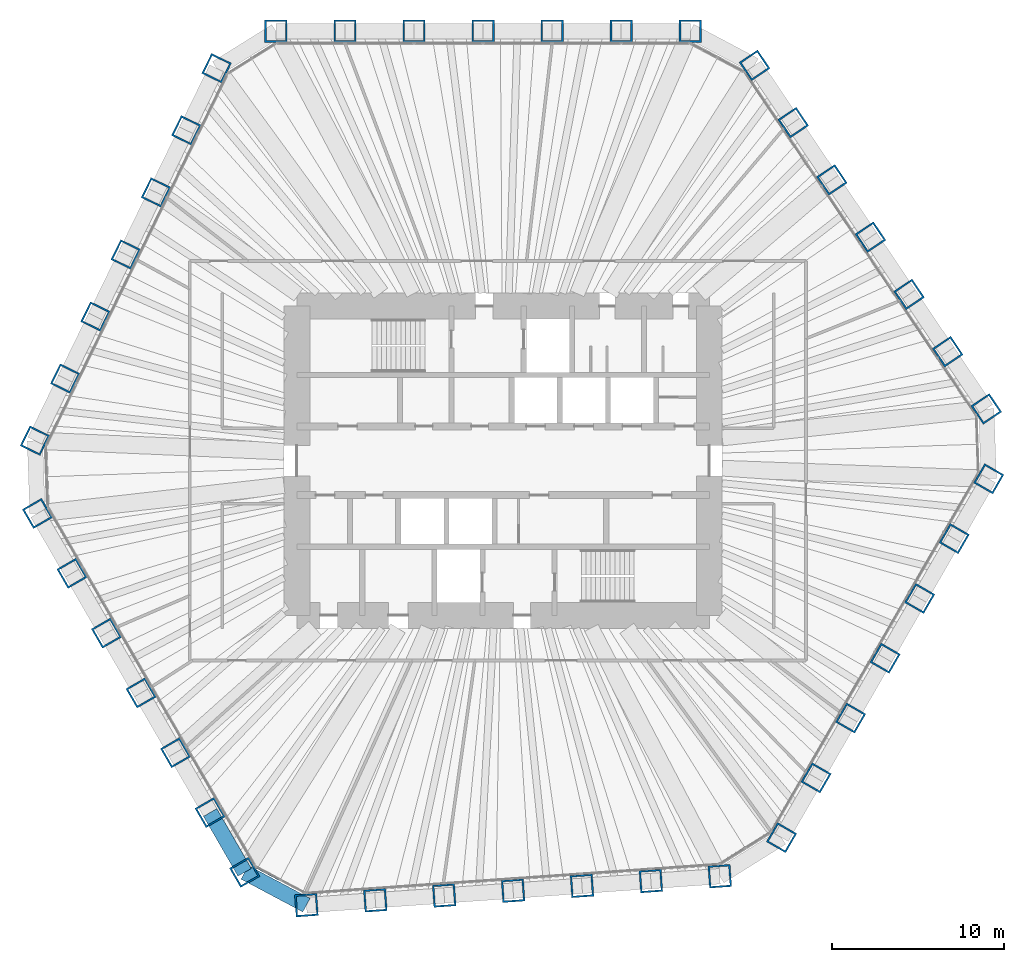
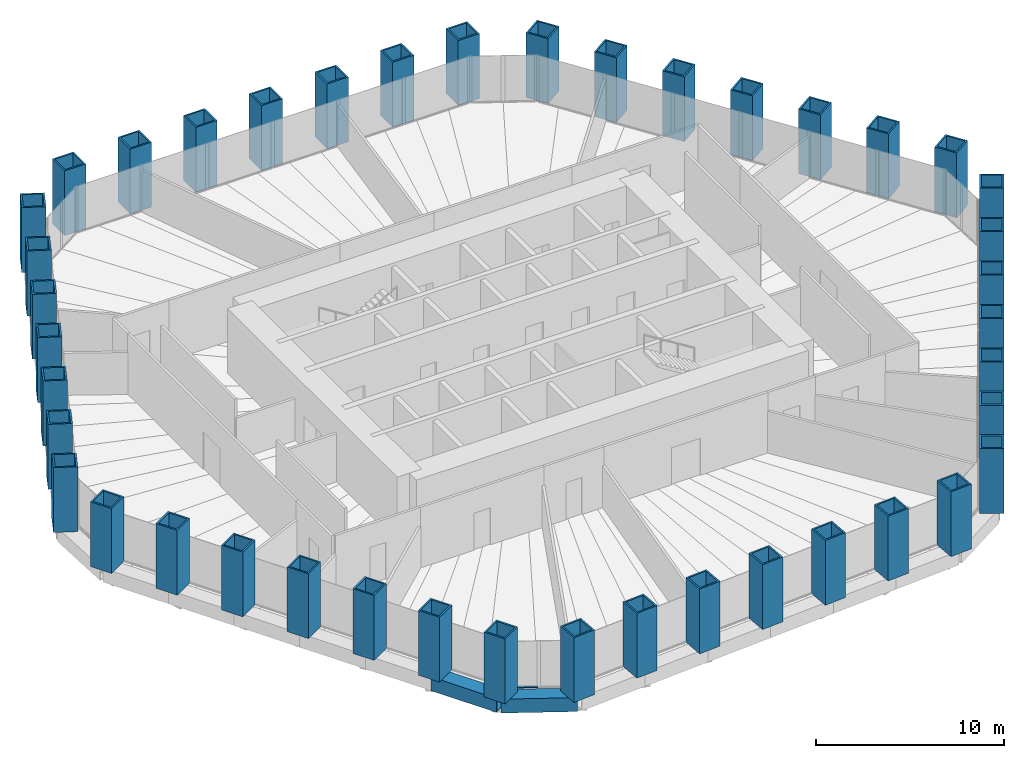
# One storey, part 1 of 12: 42 columns, 2 beams, 1 member, 1 element without a shape of its own.
"""IFC4 building model written with IfcOpenShell, lengths in metres."""

import ifcopenshell
import ifcopenshell.guid

model = None  # the IFC model being written
_history = None  # IfcOwnerHistory: only IFC2X3 demands one
_inside = {}  # id of a spatial element -> (the spatial element, [elements in it])
_under = {}  # id of a project, library or spatial element -> (it, [spatial elements below it])
_declared = {}  # id of a project -> (the project, [libraries it declares])
_typed = {}  # id of a type object -> (the type object, [elements of that type])
_made_of = {}  # id of a material, layer set ... -> (it, [elements and type objects made of it])


def new_model(schema):
    """Start an empty IFC model of exactly this schema.

    Asked for "IFC4X3", IfcOpenShell would pick the latest addendum, in which some entities
    have other attributes; the version numbers below select the first issue.
    IFC2X3 requires an IfcOwnerHistory on every rooted entity: one is made here for all.
    """
    global model, _history
    if schema == "IFC4X3":
        model = ifcopenshell.file(schema_version=(4, 3, 0, 0))
    else:
        model = ifcopenshell.file(schema=schema)
    _inside.clear()
    _under.clear()
    _declared.clear()
    _typed.clear()
    _made_of.clear()
    _history = None
    if model.schema == "IFC2X3":
        org = make("IfcOrganization", Name="unknown")
        user = make(
            "IfcPersonAndOrganization",
            ThePerson=make("IfcPerson", FamilyName="unknown"),
            TheOrganization=org,
        )
        app = make(
            "IfcApplication",
            ApplicationDeveloper=org,
            Version="unknown",
            ApplicationFullName="unknown",
            ApplicationIdentifier="unknown",
        )
        _history = make(
            "IfcOwnerHistory",
            OwningUser=user,
            OwningApplication=app,
            ChangeAction="ADDED",
            CreationDate=0,
        )
    return model


def make(cls, **values):
    """One entity of the class cls with the attributes given. An attribute that is None is left unset."""
    return model.create_entity(
        cls, **{name: value for name, value in values.items() if value is not None}
    )


def rooted(cls, **values):
    """An entity with a GlobalId (a new one), such as an element, a storey or a relation."""
    return make(cls, GlobalId=ifcopenshell.guid.new(), OwnerHistory=_history, **values)


def si_unit(unit_type, name, prefix=None):
    """IfcSIUnit, for example si_unit("LENGTHUNIT", "METRE", prefix="MILLI")."""
    return make("IfcSIUnit", UnitType=unit_type, Prefix=prefix, Name=name)


def assignment(units):
    """IfcUnitAssignment: the units of a project."""
    return None if units is None else make("IfcUnitAssignment", Units=units)


def point(xyz):
    """IfcCartesianPoint."""
    return None if xyz is None else make("IfcCartesianPoint", Coordinates=xyz)


def direction(xyz):
    """IfcDirection."""
    return None if xyz is None else make("IfcDirection", DirectionRatios=xyz)


def frame(location, z_axis=None, x_axis=None):
    """IfcAxis2Placement3D, a coordinate frame: its origin and axes. An axis left out is left unset."""
    return make(
        "IfcAxis2Placement3D",
        Location=point(location),
        Axis=direction(z_axis),
        RefDirection=direction(x_axis),
    )


def frame_2d(location, x_axis=None):
    """IfcAxis2Placement2D, a coordinate frame in the plane: its origin and x axis."""
    return make(
        "IfcAxis2Placement2D", Location=point(location), RefDirection=direction(x_axis)
    )


def origin():
    """The frame at (0, 0, 0) with its axes left unset."""
    return frame((0.0, 0.0, 0.0))


def origin_2d():
    """The frame at (0, 0) in the plane with its x axis left unset."""
    return frame_2d((0.0, 0.0))


def place(relative_to, where):
    """IfcLocalPlacement: puts the frame where relative to a parent placement (None: the world)."""
    return make(
        "IfcLocalPlacement", PlacementRelTo=relative_to, RelativePlacement=where
    )


def context(
    kind, dimensions, precision=None, world=None, true_north=None, identifier=None
):
    """IfcGeometricRepresentationContext, for example the 3D "Model" context."""
    return make(
        "IfcGeometricRepresentationContext",
        ContextIdentifier=identifier,
        ContextType=kind,
        CoordinateSpaceDimension=dimensions,
        Precision=precision,
        WorldCoordinateSystem=world,
        TrueNorth=true_north,
    )


def subcontext(parent, identifier, kind, view, scale=None):
    """IfcGeometricRepresentationSubContext, for example "Body" below "Model"."""
    return make(
        "IfcGeometricRepresentationSubContext",
        ContextIdentifier=identifier,
        ContextType=kind,
        ParentContext=parent,
        TargetScale=scale,
        TargetView=view,
    )


def project(units=None, contexts=None):
    """IfcProject with its units and contexts."""
    return rooted(
        "IfcProject",
        Name="project",
        RepresentationContexts=contexts,
        UnitsInContext=assignment(units),
    )


def spatial(cls, under=None, at=None, **own):
    """A site, building, storey or space (cls), placed at a placement, below another one or the project."""
    s = rooted(cls, ObjectPlacement=at, **own)
    if under is not None:
        _under.setdefault(under.id(), (under, []))[1].append(s)
    return s


def profile(cls, at=None, kind="AREA", **sizes):
    """A parametric profile (cls). Its sizes go by their IFC names, for example OverallWidth=200.0."""
    return make(cls, ProfileType=kind, Position=at, **sizes)


def rectangle(**sizes):
    """IfcRectangleProfileDef."""
    return profile("IfcRectangleProfileDef", **sizes)


def hollow_rectangle(**sizes):
    """IfcRectangleHollowProfileDef."""
    return profile("IfcRectangleHollowProfileDef", **sizes)


def extrude(swept, where, along, depth):
    """IfcExtrudedAreaSolid: the profile swept, set in the frame where, extruded along a direction by depth."""
    return make(
        "IfcExtrudedAreaSolid",
        SweptArea=swept,
        Position=where,
        ExtrudedDirection=direction(along),
        Depth=depth,
    )


def shape(context_of_items, identifier, shape_type, items):
    """IfcShapeRepresentation: the items that make up one representation, for example the "Body"."""
    return make(
        "IfcShapeRepresentation",
        ContextOfItems=context_of_items,
        RepresentationIdentifier=identifier,
        RepresentationType=shape_type,
        Items=items,
    )


def material(Name=None, Category=None):
    """IfcMaterial."""
    return make("IfcMaterial", Name=Name, Category=Category)


def material_profile(
    of_material, cross_section, Name=None, Category=None, Priority=None
):
    """IfcMaterialProfile: a cross section and its material."""
    return make(
        "IfcMaterialProfile",
        Name=Name,
        Material=of_material,
        Profile=cross_section,
        Priority=Priority,
        Category=Category,
    )


def profile_set(profiles, Name=None, composite=None):
    """IfcMaterialProfileSet."""
    return make(
        "IfcMaterialProfileSet",
        Name=Name,
        MaterialProfiles=profiles,
        CompositeProfile=composite,
    )


def made_of(thing, what):
    """Note that an element or type object is made of a material, layer set ...; save() writes the relation."""
    if what is not None:
        _made_of.setdefault(what.id(), (what, []))[1].append(thing)
    return thing


def type_object(cls, material=None, **own):
    """A type object (cls), such as IfcWallType, which elements share."""
    return made_of(rooted(cls, **own), material)


def element(
    cls,
    number,
    at=None,
    inside=None,
    cuts=None,
    type_object=None,
    material=None,
    context=None,
    identifier="Body",
    shape_type=None,
    held_by="IfcProductDefinitionShape",
    body=None,
    shapes=None,
    **own,
):
    """One element of the class cls, such as IfcWall. Its Tag is "e" and its number.

    at: its placement. inside: the storey or other place that contains it. cuts: it is an
    opening in that element (IfcRelVoidsElement). A single representation is given by context,
    identifier, shape_type and body (its items); several are given by shapes. held_by: the class
    of the entity that holds the representations. save() writes the other relations.
    """
    e = rooted(cls, Tag="e%d" % number, ObjectPlacement=at, **own)
    if body is not None:
        shapes = [shape(context, identifier, shape_type, body)]
    if shapes is not None:
        e.Representation = make(held_by, Representations=shapes)
    if inside is not None:
        _inside.setdefault(inside.id(), (inside, []))[1].append(e)
    if cuts is not None:
        rooted(
            "IfcRelVoidsElement", RelatingBuildingElement=cuts, RelatedOpeningElement=e
        )
    if type_object is not None:
        _typed.setdefault(type_object.id(), (type_object, []))[1].append(e)
    return made_of(e, material)


def aggregate(whole, parts):
    """IfcRelAggregates: a whole, such as a stair, and the parts it consists of."""
    return rooted("IfcRelAggregates", RelatingObject=whole, RelatedObjects=parts)


def save(model, path):
    """Write the relations noted so far, then the file.

    IfcRelAggregates (storeys below a building ...), IfcRelContainedInSpatialStructure (elements
    in a storey), IfcRelDefinesByType, IfcRelAssociatesMaterial and IfcRelDeclares: one each for
    every whole, place, type object, material and project.
    """
    for whole, parts in _under.values():
        aggregate(whole, parts)
    for where, things in _inside.values():
        rooted(
            "IfcRelContainedInSpatialStructure",
            RelatedElements=things,
            RelatingStructure=where,
        )
    for kind, things in _typed.values():
        rooted("IfcRelDefinesByType", RelatedObjects=things, RelatingType=kind)
    for what, things in _made_of.values():
        rooted("IfcRelAssociatesMaterial", RelatedObjects=things, RelatingMaterial=what)
    for by, libraries in _declared.values():
        rooted("IfcRelDeclares", RelatingContext=by, RelatedDefinitions=libraries)
    model.write(path)


model = new_model("IFC4")

# Units and contexts
model_context = context("Model", 3, precision=1e-05, world=origin(), true_north=direction((0.0, 1.0)))
body_context = subcontext(model_context, "Body", "Model", "MODEL_VIEW")
ifc_project = project(units=[si_unit("LENGTHUNIT", "METRE"), si_unit("AREAUNIT", "SQUARE_METRE"), si_unit("VOLUMEUNIT", "CUBIC_METRE"), si_unit("PLANEANGLEUNIT", "RADIAN"), si_unit("MASSUNIT", "GRAM", prefix="KILO")], contexts=[model_context])

# Site, building, storey
site_placement = place(None, origin())
site = spatial("IfcSite", under=ifc_project, at=site_placement, CompositionType="ELEMENT")
building_placement = place(site_placement, origin())
building = spatial("IfcBuilding", under=site, at=building_placement, Name="Qingtian Harvest Tower", CompositionType="ELEMENT")
storey_placement = place(building_placement, frame((0.0, 0.0, 170.199951171875)))
storey = spatial("IfcBuildingStorey", under=building, at=storey_placement, Name="L36", CompositionType="ELEMENT", Elevation=170.199951171875)

# Columns
ifc_material_1 = material(Name="Steel SM570MC", Category="steel")
ifc_material_profile_1 = material_profile(ifc_material_1, hollow_rectangle(XDim=1.300048828125, YDim=1.300048828125, WallThickness=0.10009765625, at=origin_2d()), Name="BOX1300x1300x100")
ifc_profile_set_1 = profile_set([ifc_material_profile_1], Name="Steel SM570MC")
column_type = type_object("IfcColumnType", Name="Transition tube column TK1 BOX1300x1300x100", PredefinedType="COLUMN", material=ifc_profile_set_1)
for number, where, z_axis, x_axis, name in (
    (1, (-13.2216796875, 25.0, 0.0), (0.0, 0.0, 1.0), (-1.0, 0.0, 0.0), "Tube column TK1 N0"),
    (2, (-9.20263671875, 25.0, 0.0), (0.0, 0.0, 1.0), (-1.0, 0.0, 0.0), "Tube column TK1 N1"),
    (3, (-5.18359375, 25.0, 0.0), (0.0, 0.0, 1.0), (-1.0, 0.0, 0.0), "Tube column TK1 N2"),
    (4, (-1.16455078125, 25.0, 0.0), (0.0, 0.0, 1.0), (-1.0, 0.0, 0.0), "Tube column TK1 N3"),
    (5, (2.8544921875, 25.0, 0.0), (0.0, 0.0, 1.0), (-1.0, 0.0, 0.0), "Tube column TK1 N4"),
    (6, (6.873779296875, 25.0, 0.0), (0.0, 0.0, 1.0), (-1.0, 0.0, 0.0), "Tube column TK1 N5"),
    (7, (10.892822265625, 25.0, 0.0), (0.0, 0.0, 1.0), (-1.0, 0.0, 0.0), "Tube column TK1 N6"),
    (8, (14.634765625, 23.01025390625, 0.0), (0.0, 0.0, 1.0), (-0.559192903471, 0.829037572555, 0.0), "Tube column TK1 NE0"),
    (9, (16.88232421875, 19.67822265625, 0.0), (0.0, 0.0, 1.0), (-0.559192903471, 0.829037572555, 0.0), "Tube column TK1 NE1"),
    (10, (19.129638671875, 16.346435546875, 0.0), (0.0, 0.0, 1.0), (-0.559192903471, 0.829037572555, 0.0), "Tube column TK1 NE2"),
    (11, (21.377197265625, 13.014404296875, 0.0), (0.0, 0.0, 1.0), (-0.559192903471, 0.829037572555, 0.0), "Tube column TK1 NE3"),
    (12, (23.62451171875, 9.682373046875, 0.0), (0.0, 0.0, 1.0), (-0.559192903471, 0.829037572555, 0.0), "Tube column TK1 NE4"),
    (13, (25.8720703125, 6.3505859375, 0.0), (0.0, 0.0, 1.0), (-0.559192903471, 0.829037572555, 0.0), "Tube column TK1 NE5"),
    (14, (28.119384765625, 3.0185546875, 0.0), (0.0, 0.0, 1.0), (-0.559192903471, 0.829037572555, 0.0), "Tube column TK1 NE6"),
    (15, (28.261474609375, -1.049560546875, 0.0), (0.0, 0.0, 1.0), (0.5, 0.866025403784, 0.0), "Tube column TK1 SE0"),
    (16, (26.251953125, -4.5302734375, 0.0), (0.0, 0.0, 1.0), (0.5, 0.866025403784, 0.0), "Tube column TK1 SE1"),
    (17, (24.242431640625, -8.010986328125, 0.0), (0.0, 0.0, 1.0), (0.5, 0.866025403784, 0.0), "Tube column TK1 SE2"),
    (18, (22.23291015625, -11.491455078125, 0.0), (0.0, 0.0, 1.0), (0.5, 0.866025403784, 0.0), "Tube column TK1 SE3"),
    (19, (20.223388671875, -14.97216796875, 0.0), (0.0, 0.0, 1.0), (0.5, 0.866025403784, 0.0), "Tube column TK1 SE4"),
    (20, (18.2138671875, -18.452880859375, 0.0), (0.0, 0.0, 1.0), (0.5, 0.866025403784, 0.0), "Tube column TK1 SE5"),
    (21, (16.204345703125, -21.933349609375, 0.0), (0.0, 0.0, 1.0), (0.5, 0.866025403784, 0.0), "Tube column TK1 SE6"),
    (22, (12.610107421875, -24.17919921875, 0.0), (0.0, 0.0, 1.0), (0.99756405026, 0.069756473744, 0.0), "Tube column TK1 S0"),
    (23, (8.600830078125, -24.459716796875, 0.0), (0.0, 0.0, 1.0), (0.99756405026, 0.069756473744, 0.0), "Tube column TK1 S1"),
    (24, (4.591552734375, -24.739990234375, 0.0), (0.0, 0.0, 1.0), (0.99756405026, 0.069756473744, 0.0), "Tube column TK1 S2"),
    (25, (0.582275390625, -25.020263671875, 0.0), (0.0, 0.0, 1.0), (0.99756405026, 0.069756473744, 0.0), "Tube column TK1 S3"),
    (26, (-3.427001953125, -25.30078125, 0.0), (0.0, 0.0, 1.0), (0.99756405026, 0.069756473744, 0.0), "Tube column TK1 S4"),
    (27, (-7.436279296875, -25.5810546875, 0.0), (0.0, 0.0, 1.0), (0.99756405026, 0.069756473744, 0.0), "Tube column TK1 S5"),
    (28, (-11.445556640625, -25.861328125, 0.0), (0.0, 0.0, 1.0), (0.99756405026, 0.069756473744, 0.0), "Tube column TK1 S6"),
    (29, (-15.039794921875, -23.950439453125, 0.0), (0.0, 0.0, 1.0), (0.5, -0.866025403784, 0.0), "Tube column TK1 SW0"),
    (30, (-17.04931640625, -20.4697265625, 0.0), (0.0, 0.0, 1.0), (0.5, -0.866025403784, 0.0), "Tube column TK1 SW1"),
    (31, (-19.058837890625, -16.989013671875, 0.0), (0.0, 0.0, 1.0), (0.5, -0.866025403784, 0.0), "Tube column TK1 SW2"),
    (32, (-21.068359375, -13.508544921875, 0.0), (0.0, 0.0, 1.0), (0.5, -0.866025403784, 0.0), "Tube column TK1 SW3"),
    (33, (-23.077880859375, -10.02783203125, 0.0), (0.0, 0.0, 1.0), (0.5, -0.866025403784, 0.0), "Tube column TK1 SW4"),
    (34, (-25.08740234375, -6.547119140625, 0.0), (0.0, 0.0, 1.0), (0.5, -0.866025403784, 0.0), "Tube column TK1 SW5"),
    (35, (-27.096923828125, -3.066650390625, 0.0), (0.0, 0.0, 1.0), (0.5, -0.866025403784, 0.0), "Tube column TK1 SW6"),
    (36, (-27.244873046875, 1.1689453125, 0.0), (0.0, 0.0, 1.0), (-0.438371146789, -0.898794046299, 0.0), "Tube column TK1 NW0"),
    (37, (-25.483154296875, 4.78125, 0.0), (0.0, 0.0, 1.0), (-0.438371146789, -0.898794046299, 0.0), "Tube column TK1 NW1"),
    (38, (-23.72119140625, 8.3935546875, 0.0), (0.0, 0.0, 1.0), (-0.438371146789, -0.898794046299, 0.0), "Tube column TK1 NW2"),
    (39, (-21.95947265625, 12.005859375, 0.0), (0.0, 0.0, 1.0), (-0.438371146789, -0.898794046299, 0.0), "Tube column TK1 NW3"),
    (40, (-20.197509765625, 15.6181640625, 0.0), (0.0, 0.0, 1.0), (-0.438371146789, -0.898794046299, 0.0), "Tube column TK1 NW4"),
    (41, (-18.435791015625, 19.23046875, 0.0), (0.0, 0.0, 1.0), (-0.438371146789, -0.898794046299, 0.0), "Tube column TK1 NW5"),
    (42, (-16.673828125, 22.8427734375, 0.0), (0.0, 0.0, 1.0), (-0.438371146789, -0.898794046299, 0.0), "Tube column TK1 NW6"),
):
    element("IfcColumn", number, at=place(storey_placement, frame(where, z_axis=z_axis, x_axis=x_axis)), inside=storey, type_object=column_type, Name=name, PredefinedType="COLUMN", context=body_context, shape_type="SweptSolid", body=[
        extrude(hollow_rectangle(XDim=1.300048828125, YDim=1.300048828125, WallThickness=0.10009765625, at=origin_2d()), origin(), (0.0, 0.0, 1.0), 4.199951171875),
    ])

# Beams
ifc_material_2 = material(Name="Steel SM570MC", Category="steel")
ifc_material_profile_2 = material_profile(ifc_material_2, hollow_rectangle(XDim=0.89990234375, YDim=0.89990234375, WallThickness=0.050048828125, at=origin_2d()), Name="BOX900x900x50")
ifc_profile_set_2 = profile_set([ifc_material_profile_2], Name="Steel SM570MC")
beam_type = type_object("IfcBeamType", Name="Transition spandrel SB6 BOX900x900x50", PredefinedType="SPANDREL", material=ifc_profile_set_2)
beam_1_placement = place(storey_placement, frame((-11.445556640625, -25.861328125, -0.449951171875), z_axis=(-0.882968133669, 0.469432929101, 0.0), x_axis=(-0.469432929101, -0.882968133669, 0.0)))
element("IfcBeam", 43, at=beam_1_placement, inside=storey, type_object=beam_type, Name="Spandrel SB6 SC", PredefinedType="SPANDREL", context=body_context, shape_type="SweptSolid", body=[
    extrude(hollow_rectangle(XDim=0.89990234375, YDim=0.89990234375, WallThickness=0.050048828125, at=origin_2d()), origin(), (0.0, 0.0, 1.0), 4.070556640625),
])
beam_2_placement = place(storey_placement, frame((-15.039794921875, -23.950439453125, -0.449951171875), z_axis=(-0.499987116613, 0.866032841884, 0.0), x_axis=(-0.866032841884, -0.499987116613, 0.0)))
element("IfcBeam", 44, at=beam_2_placement, inside=storey, type_object=beam_type, Name="Spandrel SB6 SW0", PredefinedType="SPANDREL", context=body_context, shape_type="SweptSolid", body=[
    extrude(hollow_rectangle(XDim=0.89990234375, YDim=0.89990234375, WallThickness=0.050048828125, at=origin_2d()), origin(), (0.0, 0.0, 1.0), 4.01904296875),
])

# Curtain wall, member
ifc_material_3 = material(Name="Bronze-anodised aluminium curtain wall", Category="aluminium")
curtain_wall_type = type_object("IfcCurtainWallType", Name="Curtain wall CW4 office", PredefinedType="USERDEFINED", material=ifc_material_3)
curtain_wall_placement = place(storey_placement, origin())
curtain_wall = element("IfcCurtainWall", 45, at=curtain_wall_placement, inside=storey, type_object=curtain_wall_type, Name="Curtain wall CW4 L36 SC", ObjectType="RECESSED CURTAIN WALL", PredefinedType="USERDEFINED")
ifc_material_4 = material(Name="Bronze-anodised aluminium transom", Category="aluminium")
ifc_material_profile_3 = material_profile(ifc_material_4, rectangle(XDim=0.14990234375, YDim=0.06494140625, at=origin_2d()), Name="AL 65x150")
ifc_profile_set_3 = profile_set([ifc_material_profile_3], Name="Bronze-anodised aluminium transom")
member_type = type_object("IfcMemberType", Name="Transom CWT 65x150", PredefinedType="USERDEFINED", material=ifc_profile_set_3)
member_placement = place(storey_placement, frame((-12.99267578125, -24.366455078125, 0.032470703125), z_axis=(-0.882960338349, 0.46944759122, 0.0), x_axis=(-0.46944759122, -0.882960338349, 0.0)))
member = element("IfcMember", 46, at=member_placement, type_object=member_type, Name="CW4 transom 2.1", ObjectType="TRANSOM", PredefinedType="USERDEFINED", context=body_context, shape_type="SweptSolid", body=[
    extrude(rectangle(XDim=0.14990234375, YDim=0.06494140625, at=origin_2d()), origin(), (0.0, 0.0, 1.0), 1.56689453125),
])
aggregate(curtain_wall, [member])

save(model, "model.ifc")
